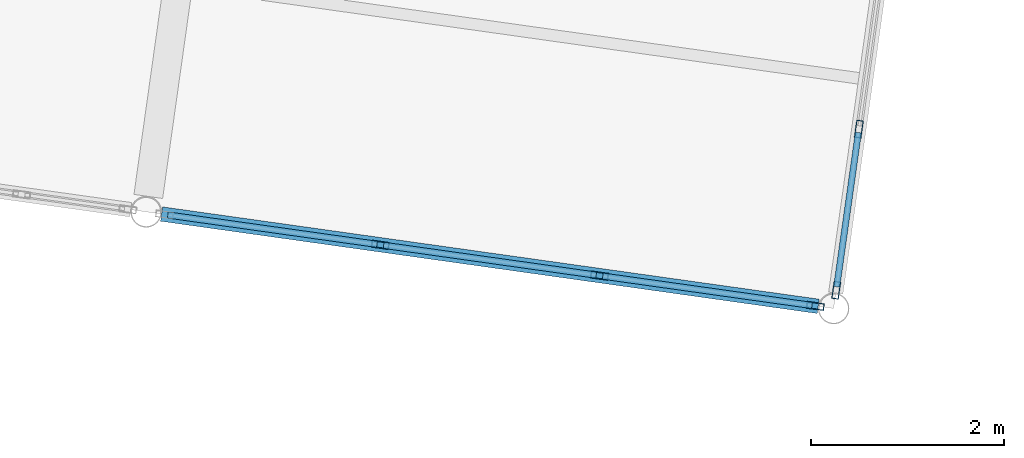
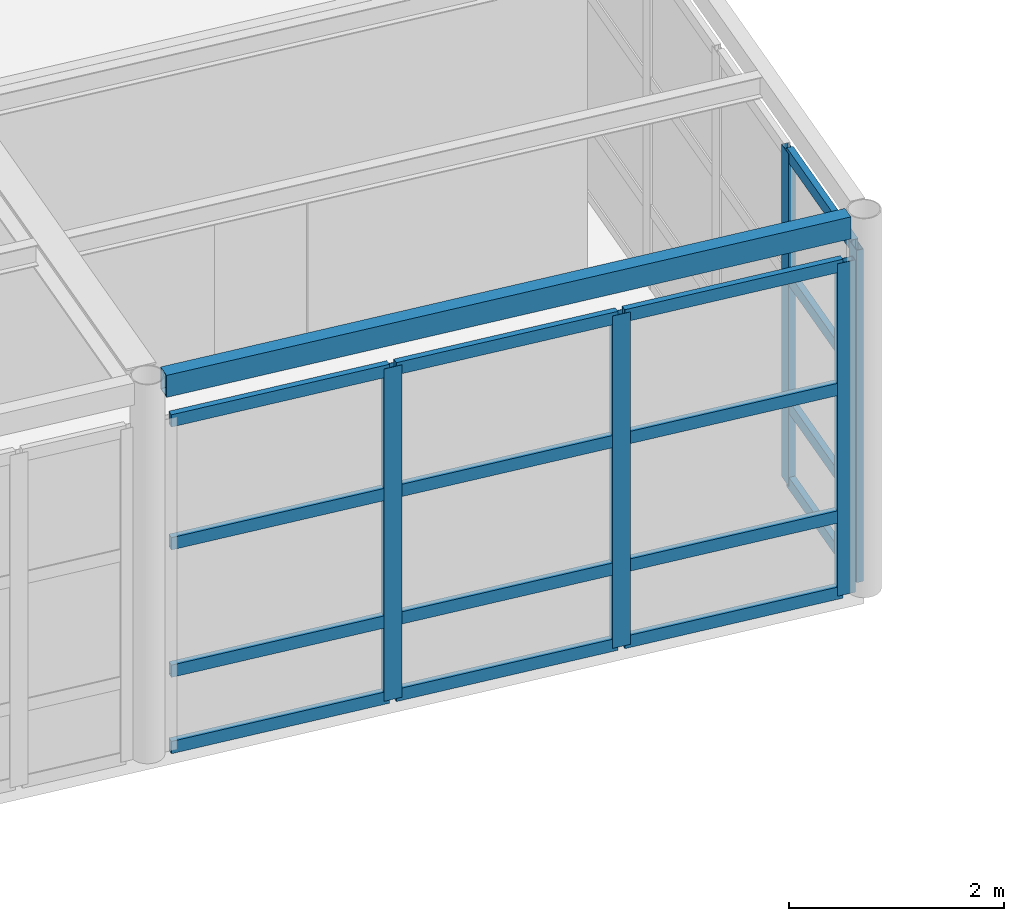
# One storey, part 33 of 80: 21 members, 1 beam, 2 elements without a shape of their own.
"""IFC4 building model written with IfcOpenShell, lengths in metres."""

from ifc_helpers import new_model, si_unit, direction, frame, origin, origin_2d, place, context, subcontext, project, spatial, hollow_rectangle, extrude, material, layer, layer_set, material_profile, profile_set, type_object, element, aggregate, save


model = new_model("IFC4")

# Units and contexts
model_context = context("Model", 3, precision=1e-05, world=origin(), true_north=direction((0.0, 1.0)))
body_context = subcontext(model_context, "Body", "Model", "MODEL_VIEW")
ifc_project = project(units=[si_unit("LENGTHUNIT", "METRE"), si_unit("AREAUNIT", "SQUARE_METRE"), si_unit("VOLUMEUNIT", "CUBIC_METRE"), si_unit("PLANEANGLEUNIT", "RADIAN"), si_unit("MASSUNIT", "GRAM", prefix="KILO")], contexts=[model_context])

# Site, building, storey
site_placement = place(None, origin())
site = spatial("IfcSite", under=ifc_project, at=site_placement, CompositionType="ELEMENT")
building_placement = place(site_placement, origin())
building = spatial("IfcBuilding", under=site, at=building_placement, Name="Kharisveld Research Institute", CompositionType="ELEMENT")
storey_placement = place(building_placement, frame((0.0, 0.0, 5.10009765625)))
storey = spatial("IfcBuildingStorey", under=building, at=storey_placement, Name="L01", CompositionType="ELEMENT", Elevation=5.10009765625)

# Curtain wall, members
ifc_material_1 = material(Name="Thermally Broken Aluminium Curtain Wall", Category="aluminium")
ifc_layer_1 = layer(ifc_material_1, 0.159912109375)
ifc_layer_set_1 = layer_set([ifc_layer_1], Name="CW_SYS_05")
curtain_wall_type_1 = type_object("IfcCurtainWallType", Name="CW_SYS_05", PredefinedType="NOTDEFINED", material=ifc_layer_set_1)
curtain_wall_1_placement = place(storey_placement, origin())
curtain_wall_1 = element("IfcCurtainWall", 1, at=curtain_wall_1_placement, inside=storey, type_object=curtain_wall_type_1, Name="CW:V4:L01:E1", PredefinedType="NOTDEFINED")
ifc_material_2 = material(Name="Anodised Aluminium AW-6063-T6", Category="aluminium")
ifc_material_profile_1 = material_profile(ifc_material_2, hollow_rectangle(XDim=0.070068359375, YDim=0.179931640625, WallThickness=0.00439453125, at=origin_2d()))
ifc_profile_set_1 = profile_set([ifc_material_profile_1], Name="Anodised Aluminium AW-6063-T6")
member_type_1 = type_object("IfcMemberType", Name="CW_MUL_180", PredefinedType="MULLION", material=ifc_profile_set_1)
member_1_placement = place(storey_placement, frame((103.78125, 15.35205078125, 0.0), z_axis=(0.0, 0.0, 1.0), x_axis=(0.990268048413, -0.139173245605, 0.0)))
member_1 = element("IfcMember", 2, at=member_1_placement, type_object=member_type_1, Name="CW-05 mullion 4", PredefinedType="MULLION", context=body_context, shape_type="SweptSolid", body=[
    extrude(hollow_rectangle(XDim=0.070068359375, YDim=0.179931640625, WallThickness=0.00439453125, at=origin_2d()), origin(), (0.0, 0.0, 1.0), 3.77978515625),
])
member_2_placement = place(storey_placement, frame((103.54638671875, 13.681884765625, 0.0), z_axis=(0.0, 0.0, 1.0), x_axis=(0.990268048413, -0.139173245605, 0.0)))
member_2 = element("IfcMember", 3, at=member_2_placement, type_object=member_type_1, Name="CW-05 mullion 5", PredefinedType="MULLION", context=body_context, shape_type="SweptSolid", body=[
    extrude(hollow_rectangle(XDim=0.070068359375, YDim=0.179931640625, WallThickness=0.00439453125, at=origin_2d()), origin(), (0.0, 0.0, 1.0), 3.77978515625),
])

ifc_material_3 = material(Name="Thermally Broken Aluminium Curtain Wall", Category="aluminium")
ifc_layer_2 = layer(ifc_material_3, 0.159912109375)
ifc_layer_set_2 = layer_set([ifc_layer_2], Name="CW_SYS_06")
curtain_wall_type_2 = type_object("IfcCurtainWallType", Name="CW_SYS_06", PredefinedType="NOTDEFINED", material=ifc_layer_set_2)
curtain_wall_2_placement = place(storey_placement, origin())
curtain_wall_2 = element("IfcCurtainWall", 4, at=curtain_wall_2_placement, inside=storey, type_object=curtain_wall_type_2, Name="CW:V4:L01:S4", PredefinedType="NOTDEFINED")
member_3_placement = place(storey_placement, frame((103.32958984375, 13.5185546875, 0.0), z_axis=(0.0, 0.0, 1.0), x_axis=(-0.139173103207, -0.990268068426, 0.0)))
member_3 = element("IfcMember", 5, at=member_3_placement, type_object=member_type_1, Name="CW-06 mullion 1", PredefinedType="MULLION", context=body_context, shape_type="SweptSolid", body=[
    extrude(hollow_rectangle(XDim=0.070068359375, YDim=0.179931640625, WallThickness=0.00439453125, at=origin_2d()), origin(), (0.0, 0.0, 1.0), 3.77978515625),
])
member_4_placement = place(storey_placement, frame((101.09130859375, 13.8330078125, 0.0), z_axis=(0.0, 0.0, 1.0), x_axis=(-0.139173103207, -0.990268068426, 0.0)))
member_4 = element("IfcMember", 6, at=member_4_placement, type_object=member_type_1, Name="CW-06 mullion 2", PredefinedType="MULLION", context=body_context, shape_type="SweptSolid", body=[
    extrude(hollow_rectangle(XDim=0.070068359375, YDim=0.179931640625, WallThickness=0.00439453125, at=origin_2d()), origin(), (0.0, 0.0, 1.0), 3.77978515625),
])
member_5_placement = place(storey_placement, frame((98.818359375, 14.152587890625, 0.0), z_axis=(0.0, 0.0, 1.0), x_axis=(-0.139173103207, -0.990268068426, 0.0)))
member_5 = element("IfcMember", 7, at=member_5_placement, type_object=member_type_1, Name="CW-06 mullion 3", PredefinedType="MULLION", context=body_context, shape_type="SweptSolid", body=[
    extrude(hollow_rectangle(XDim=0.070068359375, YDim=0.179931640625, WallThickness=0.00439453125, at=origin_2d()), origin(), (0.0, 0.0, 1.0), 3.77978515625),
])

# Member
ifc_material_4 = material(Name="Anodised Aluminium AW-6063-T6", Category="aluminium")
ifc_material_profile_2 = material_profile(ifc_material_4, hollow_rectangle(XDim=0.06494140625, YDim=0.139892578125, WallThickness=0.00390625, at=origin_2d()))
ifc_profile_set_2 = profile_set([ifc_material_profile_2], Name="Anodised Aluminium AW-6063-T6")
member_type_2 = type_object("IfcMemberType", Name="CW_TRN_140", PredefinedType="USERDEFINED", material=ifc_profile_set_2)
member_6_placement = place(storey_placement, frame((103.7763671875, 15.3173828125, 0.032470703125), z_axis=(-0.139243261512, -0.990258205785, 0.0), x_axis=(0.990258205785, -0.139243261512, 0.0)))
member_6 = element("IfcMember", 8, at=member_6_placement, type_object=member_type_2, Name="CW-05 transom 4.1", ObjectType="TRANSOM", PredefinedType="USERDEFINED", context=body_context, shape_type="SweptSolid", body=[
    extrude(hollow_rectangle(XDim=0.06494140625, YDim=0.139892578125, WallThickness=0.00390625, at=origin_2d()), origin(), (0.0, 0.0, 1.0), 1.61669921875),
])

member_7_placement = place(storey_placement, frame((103.7763671875, 15.3173828125, 0.89990234375), z_axis=(-0.139243261512, -0.990258205785, 0.0), x_axis=(0.990258205785, -0.139243261512, 0.0)))
member_7 = element("IfcMember", 9, at=member_7_placement, type_object=member_type_2, Name="CW-05 transom 4.2", ObjectType="TRANSOM", PredefinedType="USERDEFINED", context=body_context, shape_type="SweptSolid", body=[
    extrude(hollow_rectangle(XDim=0.06494140625, YDim=0.139892578125, WallThickness=0.00390625, at=origin_2d()), origin(), (0.0, 0.0, 1.0), 1.61669921875),
])

member_8_placement = place(storey_placement, frame((103.7763671875, 15.3173828125, 2.349853515625), z_axis=(-0.139243261512, -0.990258205785, 0.0), x_axis=(0.990258205785, -0.139243261512, 0.0)))
member_8 = element("IfcMember", 10, at=member_8_placement, type_object=member_type_2, Name="CW-05 transom 4.3", ObjectType="TRANSOM", PredefinedType="USERDEFINED", context=body_context, shape_type="SweptSolid", body=[
    extrude(hollow_rectangle(XDim=0.06494140625, YDim=0.139892578125, WallThickness=0.00390625, at=origin_2d()), origin(), (0.0, 0.0, 1.0), 1.61669921875),
])

member_9_placement = place(storey_placement, frame((103.7763671875, 15.3173828125, 3.747314453125), z_axis=(-0.139243261512, -0.990258205785, 0.0), x_axis=(0.990258205785, -0.139243261512, 0.0)))
member_9 = element("IfcMember", 11, at=member_9_placement, type_object=member_type_2, Name="CW-05 transom 4.4", ObjectType="TRANSOM", PredefinedType="USERDEFINED", context=body_context, shape_type="SweptSolid", body=[
    extrude(hollow_rectangle(XDim=0.06494140625, YDim=0.139892578125, WallThickness=0.00390625, at=origin_2d()), origin(), (0.0, 0.0, 1.0), 1.61669921875),
])

aggregate(curtain_wall_1, [member_1, member_2, member_6, member_7, member_8, member_9])

member_10_placement = place(storey_placement, frame((103.294921875, 13.5234375, 0.032470703125), z_axis=(-0.990276743065, 0.139111365978, 0.0), x_axis=(-0.139111365978, -0.990276743065, 0.0)))
member_10 = element("IfcMember", 12, at=member_10_placement, type_object=member_type_2, Name="CW-06 transom 1.1", ObjectType="TRANSOM", PredefinedType="USERDEFINED", context=body_context, shape_type="SweptSolid", body=[
    extrude(hollow_rectangle(XDim=0.06494140625, YDim=0.139892578125, WallThickness=0.00390625, at=origin_2d()), origin(), (0.0, 0.0, 1.0), 2.190185546875),
])

member_11_placement = place(storey_placement, frame((103.294921875, 13.5234375, 0.89990234375), z_axis=(-0.990276743065, 0.139111365978, 0.0), x_axis=(-0.139111365978, -0.990276743065, 0.0)))
member_11 = element("IfcMember", 13, at=member_11_placement, type_object=member_type_2, Name="CW-06 transom 1.2", ObjectType="TRANSOM", PredefinedType="USERDEFINED", context=body_context, shape_type="SweptSolid", body=[
    extrude(hollow_rectangle(XDim=0.06494140625, YDim=0.139892578125, WallThickness=0.00390625, at=origin_2d()), origin(), (0.0, 0.0, 1.0), 2.190185546875),
])

member_12_placement = place(storey_placement, frame((103.294921875, 13.5234375, 2.349853515625), z_axis=(-0.990276743065, 0.139111365978, 0.0), x_axis=(-0.139111365978, -0.990276743065, 0.0)))
member_12 = element("IfcMember", 14, at=member_12_placement, type_object=member_type_2, Name="CW-06 transom 1.3", ObjectType="TRANSOM", PredefinedType="USERDEFINED", context=body_context, shape_type="SweptSolid", body=[
    extrude(hollow_rectangle(XDim=0.06494140625, YDim=0.139892578125, WallThickness=0.00390625, at=origin_2d()), origin(), (0.0, 0.0, 1.0), 2.190185546875),
])

member_13_placement = place(storey_placement, frame((103.294921875, 13.5234375, 3.747314453125), z_axis=(-0.990276743065, 0.139111365978, 0.0), x_axis=(-0.139111365978, -0.990276743065, 0.0)))
member_13 = element("IfcMember", 15, at=member_13_placement, type_object=member_type_2, Name="CW-06 transom 1.4", ObjectType="TRANSOM", PredefinedType="USERDEFINED", context=body_context, shape_type="SweptSolid", body=[
    extrude(hollow_rectangle(XDim=0.06494140625, YDim=0.139892578125, WallThickness=0.00390625, at=origin_2d()), origin(), (0.0, 0.0, 1.0), 2.190185546875),
])

member_14_placement = place(storey_placement, frame((101.056640625, 13.837890625, 0.032470703125), z_axis=(-0.990260833427, 0.139224573191, 0.0), x_axis=(-0.139224573191, -0.990260833427, 0.0)))
member_14 = element("IfcMember", 16, at=member_14_placement, type_object=member_type_2, Name="CW-06 transom 2.1", ObjectType="TRANSOM", PredefinedType="USERDEFINED", context=body_context, shape_type="SweptSolid", body=[
    extrude(hollow_rectangle(XDim=0.06494140625, YDim=0.139892578125, WallThickness=0.00390625, at=origin_2d()), origin(), (0.0, 0.0, 1.0), 2.225341796875),
])

member_15_placement = place(storey_placement, frame((101.056640625, 13.837890625, 0.89990234375), z_axis=(-0.990260833427, 0.139224573191, 0.0), x_axis=(-0.139224573191, -0.990260833427, 0.0)))
member_15 = element("IfcMember", 17, at=member_15_placement, type_object=member_type_2, Name="CW-06 transom 2.2", ObjectType="TRANSOM", PredefinedType="USERDEFINED", context=body_context, shape_type="SweptSolid", body=[
    extrude(hollow_rectangle(XDim=0.06494140625, YDim=0.139892578125, WallThickness=0.00390625, at=origin_2d()), origin(), (0.0, 0.0, 1.0), 2.225341796875),
])

member_16_placement = place(storey_placement, frame((101.056640625, 13.837890625, 2.349853515625), z_axis=(-0.990260833427, 0.139224573191, 0.0), x_axis=(-0.139224573191, -0.990260833427, 0.0)))
member_16 = element("IfcMember", 18, at=member_16_placement, type_object=member_type_2, Name="CW-06 transom 2.3", ObjectType="TRANSOM", PredefinedType="USERDEFINED", context=body_context, shape_type="SweptSolid", body=[
    extrude(hollow_rectangle(XDim=0.06494140625, YDim=0.139892578125, WallThickness=0.00390625, at=origin_2d()), origin(), (0.0, 0.0, 1.0), 2.225341796875),
])

member_17_placement = place(storey_placement, frame((101.056640625, 13.837890625, 3.747314453125), z_axis=(-0.990260833427, 0.139224573191, 0.0), x_axis=(-0.139224573191, -0.990260833427, 0.0)))
member_17 = element("IfcMember", 19, at=member_17_placement, type_object=member_type_2, Name="CW-06 transom 2.4", ObjectType="TRANSOM", PredefinedType="USERDEFINED", context=body_context, shape_type="SweptSolid", body=[
    extrude(hollow_rectangle(XDim=0.06494140625, YDim=0.139892578125, WallThickness=0.00390625, at=origin_2d()), origin(), (0.0, 0.0, 1.0), 2.225341796875),
])

member_18_placement = place(storey_placement, frame((98.78369140625, 14.157470703125, 0.032470703125), z_axis=(-0.990278899823, 0.13909601204, 0.0), x_axis=(-0.13909601204, -0.990278899823, 0.0)))
member_18 = element("IfcMember", 20, at=member_18_placement, type_object=member_type_2, Name="CW-06 transom 3.1", ObjectType="TRANSOM", PredefinedType="USERDEFINED", context=body_context, shape_type="SweptSolid", body=[
    extrude(hollow_rectangle(XDim=0.06494140625, YDim=0.139892578125, WallThickness=0.00390625, at=origin_2d()), origin(), (0.0, 0.0, 1.0), 2.1904296875),
])

member_19_placement = place(storey_placement, frame((98.78369140625, 14.157470703125, 0.89990234375), z_axis=(-0.990278899823, 0.13909601204, 0.0), x_axis=(-0.13909601204, -0.990278899823, 0.0)))
member_19 = element("IfcMember", 21, at=member_19_placement, type_object=member_type_2, Name="CW-06 transom 3.2", ObjectType="TRANSOM", PredefinedType="USERDEFINED", context=body_context, shape_type="SweptSolid", body=[
    extrude(hollow_rectangle(XDim=0.06494140625, YDim=0.139892578125, WallThickness=0.00390625, at=origin_2d()), origin(), (0.0, 0.0, 1.0), 2.1904296875),
])

member_20_placement = place(storey_placement, frame((98.78369140625, 14.157470703125, 2.349853515625), z_axis=(-0.990278899823, 0.13909601204, 0.0), x_axis=(-0.13909601204, -0.990278899823, 0.0)))
member_20 = element("IfcMember", 22, at=member_20_placement, type_object=member_type_2, Name="CW-06 transom 3.3", ObjectType="TRANSOM", PredefinedType="USERDEFINED", context=body_context, shape_type="SweptSolid", body=[
    extrude(hollow_rectangle(XDim=0.06494140625, YDim=0.139892578125, WallThickness=0.00390625, at=origin_2d()), origin(), (0.0, 0.0, 1.0), 2.1904296875),
])

member_21_placement = place(storey_placement, frame((98.78369140625, 14.157470703125, 3.747314453125), z_axis=(-0.990278899823, 0.13909601204, 0.0), x_axis=(-0.13909601204, -0.990278899823, 0.0)))
member_21 = element("IfcMember", 23, at=member_21_placement, type_object=member_type_2, Name="CW-06 transom 3.4", ObjectType="TRANSOM", PredefinedType="USERDEFINED", context=body_context, shape_type="SweptSolid", body=[
    extrude(hollow_rectangle(XDim=0.06494140625, YDim=0.139892578125, WallThickness=0.00390625, at=origin_2d()), origin(), (0.0, 0.0, 1.0), 2.1904296875),
])

aggregate(curtain_wall_2, [member_3, member_4, member_5, member_10, member_11, member_12, member_13, member_14, member_15, member_16, member_17, member_18, member_19, member_20, member_21])

# Beam
ifc_material_5 = material(Name="Steel S355J2H", Category="steel")
ifc_material_profile_3 = material_profile(ifc_material_5, hollow_rectangle(XDim=0.14990234375, YDim=0.25, WallThickness=0.010009765625, at=origin_2d()))
ifc_profile_set_3 = profile_set([ifc_material_profile_3], Name="Steel S355J2H")
beam_type = type_object("IfcBeamType", Name="SP_ST_RHS250", PredefinedType="SPANDREL", material=ifc_profile_set_3)
beam_placement = place(storey_placement, frame((96.550048828125, 14.471435546875, 4.184814453125), z_axis=(0.990267209571, -0.139179214138, 0.0), x_axis=(0.139179214138, 0.990267209571, 0.0)))
element("IfcBeam", 24, at=beam_placement, inside=storey, type_object=beam_type, Name="BM:V4:L01:U3_0", PredefinedType="SPANDREL", context=body_context, shape_type="SweptSolid", body=[
    extrude(hollow_rectangle(XDim=0.14990234375, YDim=0.25, WallThickness=0.010009765625, at=origin_2d()), origin(), (0.0, 0.0, 1.0), 6.876220703125),
])

save(model, "model.ifc")
